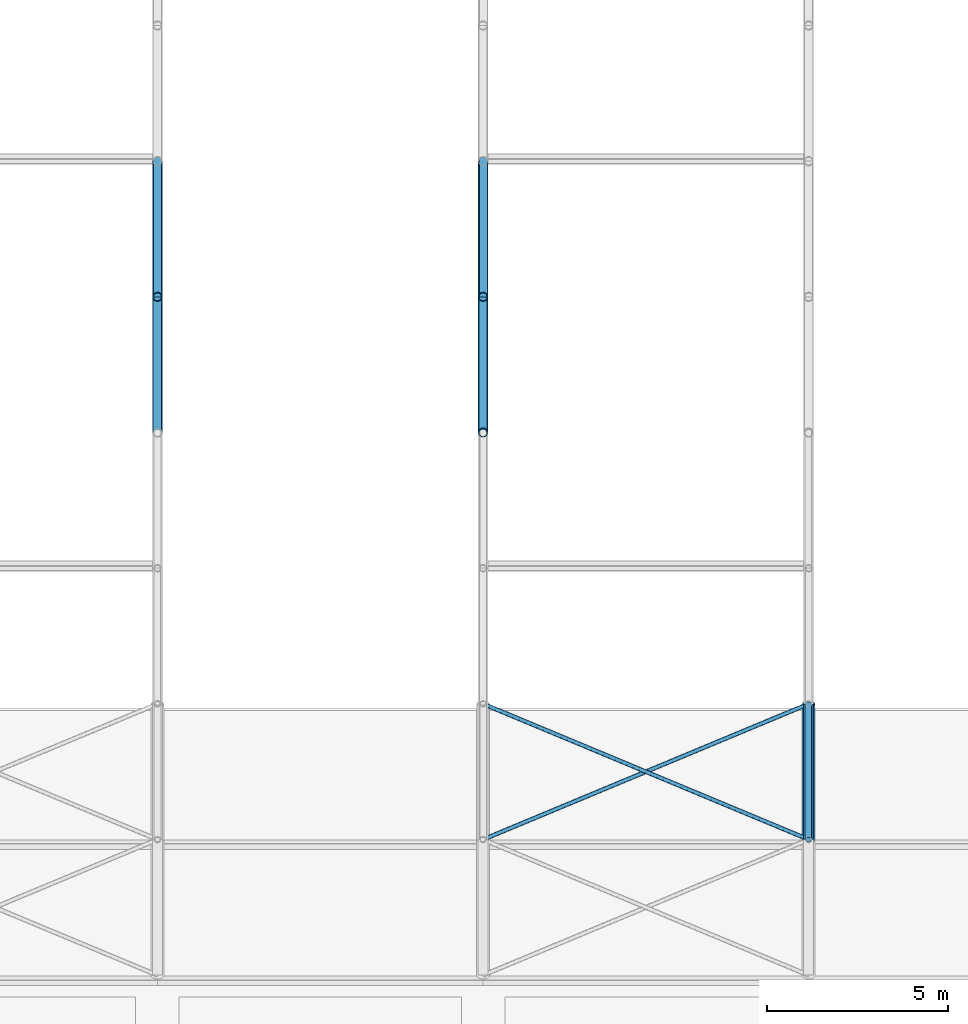
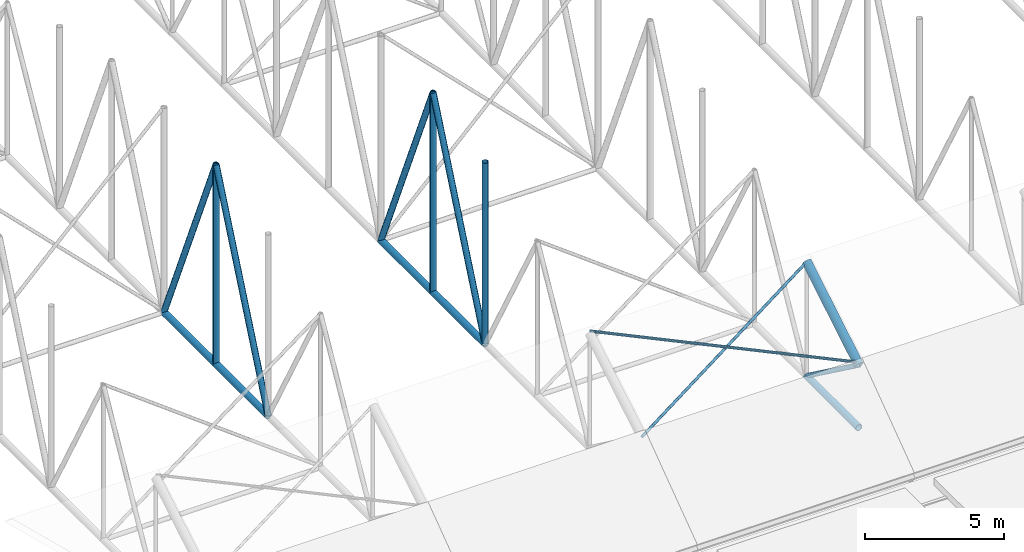
# One storey, part 30 of 153: 16 members.
"""IFC4 building model written with IfcOpenShell, lengths in metres."""

from ifc_helpers import new_model, si_unit, direction, frame, origin, origin_2d, place, context, subcontext, project, spatial, hollow_circle, extrude, material, material_profile, profile_set, type_object, element, save


model = new_model("IFC4")

# Units and contexts
model_context = context("Model", 3, precision=1e-05, world=origin(), true_north=direction((0.0, 1.0)))
body_context = subcontext(model_context, "Body", "Model", "MODEL_VIEW")
ifc_project = project(units=[si_unit("LENGTHUNIT", "METRE"), si_unit("AREAUNIT", "SQUARE_METRE"), si_unit("VOLUMEUNIT", "CUBIC_METRE"), si_unit("PLANEANGLEUNIT", "RADIAN"), si_unit("MASSUNIT", "GRAM", prefix="KILO")], contexts=[model_context])

# Site, building, storey
site_placement = place(None, origin())
site = spatial("IfcSite", under=ifc_project, at=site_placement, CompositionType="ELEMENT")
building_placement = place(site_placement, origin())
building = spatial("IfcBuilding", under=site, at=building_placement, Name="Baradari Gate Terminus", CompositionType="ELEMENT")
storey_placement = place(building_placement, frame((0.0, 0.0, 11.699951171875)))
storey = spatial("IfcBuildingStorey", under=building, at=storey_placement, Name="L02", CompositionType="ELEMENT", Elevation=11.699951171875)

# Members
ifc_material_1 = material(Name="Steel S355", Category="steel")
ifc_material_profile_1 = material_profile(ifc_material_1, hollow_circle(Radius=0.136474609375, WallThickness=0.012451171875, at=origin_2d()), Name="CHS 273x12.5")
ifc_profile_set_1 = profile_set([ifc_material_profile_1], Name="Steel S355")
member_type_1 = type_object("IfcMemberType", Name="Shed bottom chord CHS 273x12.5", PredefinedType="CHORD", material=ifc_profile_set_1)
for number, where, z_axis, x_axis, name in (
    (1, (108.0, 51.0, 0.136474609375), (0.0, 1.0, 0.0), (-1.0, 0.0, 0.0), "TR/L02/S108-BC04"),
    (2, (108.0, 54.75, 0.136474609375), (0.0, 1.0, 0.0), (-1.0, 0.0, 0.0), "TR/L02/S108-BC05"),
    (3, (117.0, 51.0, 0.136474609375), (0.0, 1.0, 0.0), (-1.0, 0.0, 0.0), "TR/L02/S117-BC04"),
    (4, (117.0, 54.75, 0.136474609375), (0.0, 1.0, 0.0), (-1.0, 0.0, 0.0), "TR/L02/S117-BC05"),
    (5, (126.0, 39.75, 0.136474609375), (0.0, 1.0, 0.0), (-1.0, 0.0, 0.0), "TR/L02/S126-BC01"),
):
    element("IfcMember", number, at=place(storey_placement, frame(where, z_axis=z_axis, x_axis=x_axis)), inside=storey, type_object=member_type_1, Name=name, PredefinedType="CHORD", context=body_context, shape_type="SweptSolid", body=[
        extrude(hollow_circle(Radius=0.136474609375, WallThickness=0.012451171875, at=origin_2d()), origin(), (0.0, 0.0, 1.0), 3.75),
    ])
ifc_material_2 = material(Name="Steel S355", Category="steel")
ifc_material_profile_2 = material_profile(ifc_material_2, hollow_circle(Radius=0.05712890625, WallThickness=0.00634765625, at=origin_2d()), Name="CHS 114.3x6.3")
ifc_profile_set_2 = profile_set([ifc_material_profile_2], Name="Steel S355")
member_type_2 = type_object("IfcMemberType", Name="Shed roof brace CHS 114.3x6.3", PredefinedType="BRACE", material=ifc_profile_set_2)
for number, where, z_axis, x_axis, name in (
    (6, (117.0, 39.75, 2.886474609375), (0.899438026795, 0.374765844498, 0.224859506699), (-0.384615384615, 0.923076923077, 0.0), "TR/L02/B126-RB01A"),
    (7, (126.0, 39.75, 3.000732421875), (-0.899438026795, 0.374765844498, 0.224859506699), (-0.384615384615, -0.923076923077, 0.0), "TR/L02/B126-RB01B"),
):
    element("IfcMember", number, at=place(storey_placement, frame(where, z_axis=z_axis, x_axis=x_axis)), inside=storey, type_object=member_type_2, Name=name, PredefinedType="BRACE", context=body_context, shape_type="SweptSolid", body=[
        extrude(hollow_circle(Radius=0.05712890625, WallThickness=0.00634765625, at=origin_2d()), origin(), (0.0, 0.0, 1.0), 10.00634765625),
    ])
ifc_material_3 = material(Name="Steel S355", Category="steel")
ifc_material_profile_3 = material_profile(ifc_material_3, hollow_circle(Radius=0.177734375, WallThickness=0.01611328125, at=origin_2d()), Name="CHS 355.6x16")
ifc_profile_set_3 = profile_set([ifc_material_profile_3], Name="Steel S355")
member_type_3 = type_object("IfcMemberType", Name="Shed top chord CHS 355.6x16", PredefinedType="CHORD", material=ifc_profile_set_3)
member_1_placement = place(storey_placement, frame((126.0, 39.75, 2.886474609375), z_axis=(0.0, 0.857492925713, 0.514495755428), x_axis=(-1.0, 0.0, 0.0)))
element("IfcMember", 8, at=member_1_placement, inside=storey, type_object=member_type_3, Name="TR/L02/S126-TC01", PredefinedType="CHORD", context=body_context, shape_type="SweptSolid", body=[
    extrude(hollow_circle(Radius=0.177734375, WallThickness=0.01611328125, at=origin_2d()), origin(), (0.0, 0.0, 1.0), 4.373291015625),
])
ifc_material_4 = material(Name="Steel S355", Category="steel")
ifc_material_profile_4 = material_profile(ifc_material_4, hollow_circle(Radius=0.096923828125, WallThickness=0.008056640625, at=origin_2d()), Name="CHS 193.7x8")
ifc_profile_set_4 = profile_set([ifc_material_profile_4], Name="Steel S355")
member_type_4 = type_object("IfcMemberType", Name="Shed truss diagonal CHS 193.7x8", PredefinedType="BRACE", material=ifc_profile_set_4)
member_2_placement = place(storey_placement, frame((126.0, 39.75, 2.886474609375), z_axis=(0.0, 0.806404995856, -0.591363663628), x_axis=(-1.0, 0.0, 0.0)))
element("IfcMember", 9, at=member_2_placement, inside=storey, type_object=member_type_4, Name="TR/L02/S126-SD01", PredefinedType="BRACE", context=body_context, shape_type="SweptSolid", body=[
    extrude(hollow_circle(Radius=0.096923828125, WallThickness=0.008056640625, at=origin_2d()), origin(), (0.0, 0.0, 1.0), 4.650390625),
])
ifc_material_5 = material(Name="Steel S355", Category="steel")
ifc_material_profile_5 = material_profile(ifc_material_5, hollow_circle(Radius=0.122314453125, WallThickness=0.010009765625, at=origin_2d()), Name="CHS 244.5x10")
ifc_profile_set_5 = profile_set([ifc_material_profile_5], Name="Steel S355")
member_type_5 = type_object("IfcMemberType", Name="Shed truss diagonal CHS 244.5x10", PredefinedType="BRACE", material=ifc_profile_set_5)
for number, where, z_axis, x_axis, name in (
    (10, (108.0, 54.75, 8.886474609375), (0.0, -0.393919298579, -0.919145030018), (1.0, 0.0, 0.0), "TR/L02/S108-SD04"),
    (11, (108.0, 54.75, 8.886474609375), (0.0, 0.393919298579, -0.919145030018), (-1.0, 0.0, 0.0), "TR/L02/S108-SD05"),
    (12, (117.0, 54.75, 8.886474609375), (0.0, -0.393919298579, -0.919145030018), (1.0, 0.0, 0.0), "TR/L02/S117-SD04"),
    (13, (117.0, 54.75, 8.886474609375), (0.0, 0.393919298579, -0.919145030018), (-1.0, 0.0, 0.0), "TR/L02/S117-SD05"),
):
    element("IfcMember", number, at=place(storey_placement, frame(where, z_axis=z_axis, x_axis=x_axis)), inside=storey, type_object=member_type_5, Name=name, PredefinedType="BRACE", context=body_context, shape_type="SweptSolid", body=[
        extrude(hollow_circle(Radius=0.122314453125, WallThickness=0.010009765625, at=origin_2d()), origin(), (0.0, 0.0, 1.0), 9.519775390625),
    ])
ifc_material_6 = material(Name="Steel S355", Category="steel")
ifc_material_profile_6 = material_profile(ifc_material_6, hollow_circle(Radius=0.122314453125, WallThickness=0.010009765625, at=origin_2d()), Name="CHS 244.5x10")
ifc_profile_set_6 = profile_set([ifc_material_profile_6], Name="Steel S355")
member_type_6 = type_object("IfcMemberType", Name="Shed truss post CHS 244.5x10", PredefinedType="POST", material=ifc_profile_set_6)
member_3_placement = place(storey_placement, frame((108.0, 54.75, 0.136474609375), z_axis=(0.0, 0.0, 1.0), x_axis=(1.0, 0.0, 0.0)))
element("IfcMember", 14, at=member_3_placement, inside=storey, type_object=member_type_6, Name="TR/L02/S108-SP05", PredefinedType="POST", context=body_context, shape_type="SweptSolid", body=[
    extrude(hollow_circle(Radius=0.122314453125, WallThickness=0.010009765625, at=origin_2d()), origin(), (0.0, 0.0, 1.0), 8.75),
])
member_4_placement = place(storey_placement, frame((117.0, 51.0, 0.136474609375), z_axis=(0.0, 0.0, 1.0), x_axis=(1.0, 0.0, 0.0)))
element("IfcMember", 15, at=member_4_placement, inside=storey, type_object=member_type_6, Name="TR/L02/S117-SP04", PredefinedType="POST", context=body_context, shape_type="SweptSolid", body=[
    extrude(hollow_circle(Radius=0.122314453125, WallThickness=0.010009765625, at=origin_2d()), origin(), (0.0, 0.0, 1.0), 8.0),
])
member_5_placement = place(storey_placement, frame((117.0, 54.75, 0.136474609375), z_axis=(0.0, 0.0, 1.0), x_axis=(1.0, 0.0, 0.0)))
element("IfcMember", 16, at=member_5_placement, inside=storey, type_object=member_type_6, Name="TR/L02/S117-SP05", PredefinedType="POST", context=body_context, shape_type="SweptSolid", body=[
    extrude(hollow_circle(Radius=0.122314453125, WallThickness=0.010009765625, at=origin_2d()), origin(), (0.0, 0.0, 1.0), 8.75),
])

save(model, "model.ifc")
